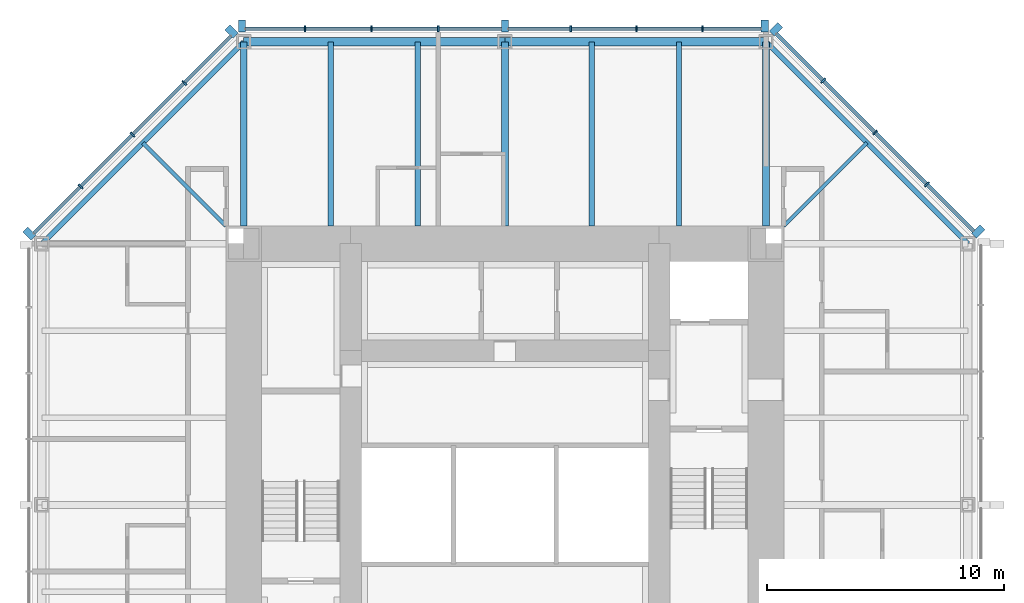
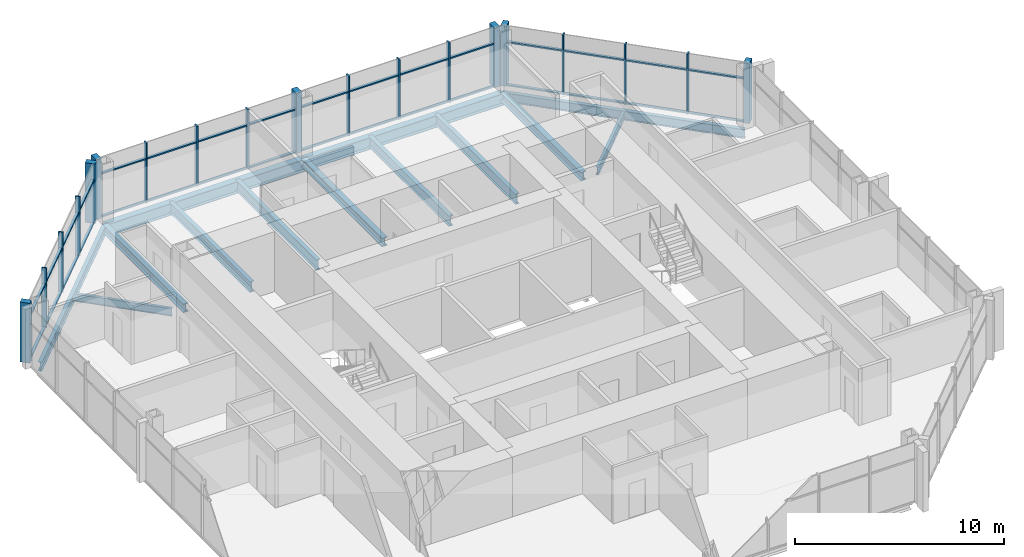
# One storey, part 5 of 11: 51 members, 13 beams, 3 elements without a shape of their own.
"""IFC4 building model written with IfcOpenShell, lengths in metres."""

from ifc_helpers import new_model, si_unit, direction, frame, origin, origin_2d, place, context, subcontext, project, spatial, rectangle, i_section, extrude, material, material_profile, profile_set, type_object, element, aggregate, save


model = new_model("IFC4")

# Units and contexts
model_context = context("Model", 3, precision=1e-05, world=origin(), true_north=direction((0.0, 1.0)))
body_context = subcontext(model_context, "Body", "Model", "MODEL_VIEW")
ifc_project = project(units=[si_unit("LENGTHUNIT", "METRE"), si_unit("AREAUNIT", "SQUARE_METRE"), si_unit("VOLUMEUNIT", "CUBIC_METRE"), si_unit("PLANEANGLEUNIT", "RADIAN"), si_unit("MASSUNIT", "GRAM", prefix="KILO")], contexts=[model_context])

# Site, building, storey
site_placement = place(None, origin())
site = spatial("IfcSite", under=ifc_project, at=site_placement, CompositionType="ELEMENT")
building_placement = place(site_placement, origin())
building = spatial("IfcBuilding", under=site, at=building_placement, Name="Trevanion Tower", CompositionType="ELEMENT")
storey_placement = place(building_placement, frame((0.0, 0.0, 232.699951171875)))
storey = spatial("IfcBuildingStorey", under=building, at=storey_placement, Name="L56", CompositionType="ELEMENT", Elevation=232.699951171875)

# Beams
ifc_material_1 = material(Name="Steel ASTM A992 Grade 50", Category="steel")
ifc_material_profile_1 = material_profile(ifc_material_1, i_section(OverallWidth=0.228271484375, OverallDepth=0.607177734375, WebThickness=0.01123046875, FlangeThickness=0.017333984375, at=origin_2d()), Name="W24X76")
ifc_profile_set_1 = profile_set([ifc_material_profile_1], Name="Steel ASTM A992 Grade 50")
beam_type_1 = type_object("IfcBeamType", Name="B11 W24X76", PredefinedType="BEAM", material=ifc_profile_set_1)
for number, where, z_axis, x_axis, name in (
    (1, (7.333251953125, 11.75, -0.493408203125), (0.0, 1.0, 0.0), (-1.0, 0.0, 0.0), "B11 L56"),
    (2, (3.666748046875, 11.75, -0.493408203125), (0.0, 1.0, 0.0), (-1.0, 0.0, 0.0), "B11 L56"),
    (3, (-3.666748046875, 11.75, -0.493408203125), (0.0, 1.0, 0.0), (-1.0, 0.0, 0.0), "B11 L56"),
    (4, (-7.333251953125, 11.75, -0.493408203125), (0.0, 1.0, 0.0), (-1.0, 0.0, 0.0), "B11 L56"),
):
    element("IfcBeam", number, at=place(storey_placement, frame(where, z_axis=z_axis, x_axis=x_axis)), inside=storey, type_object=beam_type_1, Name=name, PredefinedType="BEAM", context=body_context, shape_type="SweptSolid", body=[
        extrude(i_section(OverallWidth=0.228271484375, OverallDepth=0.607177734375, WebThickness=0.01123046875, FlangeThickness=0.017333984375, at=origin_2d()), origin(), (0.0, 0.0, 1.0), 7.75),
    ])
ifc_material_2 = material(Name="Steel ASTM A992 Grade 50", Category="steel")
ifc_material_profile_2 = material_profile(ifc_material_2, i_section(OverallWidth=0.15234375, OverallDepth=0.449462890625, WebThickness=0.007568359375, FlangeThickness=0.0107421875, at=origin_2d()), Name="W18X35")
ifc_profile_set_2 = profile_set([ifc_material_profile_2], Name="Steel ASTM A992 Grade 50")
beam_type_2 = type_object("IfcBeamType", Name="B12 W18X35", PredefinedType="BEAM", material=ifc_profile_set_2)
for number, where, z_axis, x_axis, name in (
    (5, (11.75, 11.75, -0.414794921875), (0.707106781187, 0.707106781187, 0.0), (-0.707106781187, 0.707106781187, 0.0), "B12 L56"),
    (6, (-11.75, 11.75, -0.414794921875), (-0.707106781187, 0.707106781187, 0.0), (-0.707106781187, -0.707106781187, 0.0), "B12 L56"),
):
    element("IfcBeam", number, at=place(storey_placement, frame(where, z_axis=z_axis, x_axis=x_axis)), inside=storey, type_object=beam_type_2, Name=name, PredefinedType="BEAM", context=body_context, shape_type="SweptSolid", body=[
        extrude(i_section(OverallWidth=0.15234375, OverallDepth=0.449462890625, WebThickness=0.007568359375, FlangeThickness=0.0107421875, at=origin_2d()), origin(), (0.0, 0.0, 1.0), 4.94970703125),
    ])

# Curtain wall, members
ifc_material_3 = material(Name="Aluminium and glass", Category="aluminium")
curtain_wall_type = type_object("IfcCurtainWallType", Name="CW3 curtain wall", PredefinedType="USERDEFINED", material=ifc_material_3)
curtain_wall_1_placement = place(storey_placement, origin())
curtain_wall_1 = element("IfcCurtainWall", 7, at=curtain_wall_1_placement, inside=storey, type_object=curtain_wall_type, Name="CW3 L56 1", ObjectType="UNITISED CURTAIN WALL", PredefinedType="USERDEFINED")
ifc_material_4 = material(Name="Aluminium extrusion, anodised bronze", Category="aluminium")
ifc_material_profile_3 = material_profile(ifc_material_4, rectangle(XDim=0.074951171875, YDim=0.25, at=origin_2d()), Name="CW3 mullion")
ifc_profile_set_3 = profile_set([ifc_material_profile_3], Name="Aluminium extrusion, anodised bronze")
member_type_1 = type_object("IfcMemberType", Name="CW3 mullion", PredefinedType="MULLION", material=ifc_profile_set_3)
member_1_placement = place(storey_placement, frame((17.775390625, 13.502197265625, -0.18994140625), z_axis=(0.0, 0.0, 1.0), x_axis=(-0.707106781187, 0.707106781187, 0.0)))
member_1 = element("IfcMember", 8, at=member_1_placement, type_object=member_type_1, Name="CW3 mullion 2", PredefinedType="MULLION", context=body_context, shape_type="SweptSolid", body=[
    extrude(rectangle(XDim=0.074951171875, YDim=0.25, at=origin_2d()), origin(), (0.0, 0.0, 1.0), 3.5),
])
member_2_placement = place(storey_placement, frame((15.593017578125, 15.684814453125, -0.18994140625), z_axis=(0.0, 0.0, 1.0), x_axis=(-0.707106781187, 0.707106781187, 0.0)))
member_2 = element("IfcMember", 9, at=member_2_placement, type_object=member_type_1, Name="CW3 mullion 3", PredefinedType="MULLION", context=body_context, shape_type="SweptSolid", body=[
    extrude(rectangle(XDim=0.074951171875, YDim=0.25, at=origin_2d()), origin(), (0.0, 0.0, 1.0), 3.5),
])
member_3_placement = place(storey_placement, frame((13.410400390625, 17.867431640625, -0.18994140625), z_axis=(0.0, 0.0, 1.0), x_axis=(-0.707106781187, 0.707106781187, 0.0)))
member_3 = element("IfcMember", 10, at=member_3_placement, type_object=member_type_1, Name="CW3 mullion 4", PredefinedType="MULLION", context=body_context, shape_type="SweptSolid", body=[
    extrude(rectangle(XDim=0.074951171875, YDim=0.25, at=origin_2d()), origin(), (0.0, 0.0, 1.0), 3.5),
])

curtain_wall_2_placement = place(storey_placement, origin())
curtain_wall_2 = element("IfcCurtainWall", 11, at=curtain_wall_2_placement, inside=storey, type_object=curtain_wall_type, Name="CW3 L56 2", ObjectType="UNITISED CURTAIN WALL", PredefinedType="USERDEFINED")
member_4_placement = place(storey_placement, frame((8.323486328125, 20.050048828125, -0.18994140625), z_axis=(0.0, 0.0, 1.0), x_axis=(-1.0, 0.0, 0.0)))
member_4 = element("IfcMember", 12, at=member_4_placement, type_object=member_type_1, Name="CW3 mullion 2", PredefinedType="MULLION", context=body_context, shape_type="SweptSolid", body=[
    extrude(rectangle(XDim=0.074951171875, YDim=0.25, at=origin_2d()), origin(), (0.0, 0.0, 1.0), 3.5),
])
member_5_placement = place(storey_placement, frame((5.548828125, 20.050048828125, -0.18994140625), z_axis=(0.0, 0.0, 1.0), x_axis=(-1.0, 0.0, 0.0)))
member_5 = element("IfcMember", 13, at=member_5_placement, type_object=member_type_1, Name="CW3 mullion 3", PredefinedType="MULLION", context=body_context, shape_type="SweptSolid", body=[
    extrude(rectangle(XDim=0.074951171875, YDim=0.25, at=origin_2d()), origin(), (0.0, 0.0, 1.0), 3.5),
])
member_6_placement = place(storey_placement, frame((2.7744140625, 20.050048828125, -0.18994140625), z_axis=(0.0, 0.0, 1.0), x_axis=(-1.0, 0.0, 0.0)))
member_6 = element("IfcMember", 14, at=member_6_placement, type_object=member_type_1, Name="CW3 mullion 4", PredefinedType="MULLION", context=body_context, shape_type="SweptSolid", body=[
    extrude(rectangle(XDim=0.074951171875, YDim=0.25, at=origin_2d()), origin(), (0.0, 0.0, 1.0), 3.5),
])
member_7_placement = place(storey_placement, frame((-2.806884765625, 20.050048828125, -0.18994140625), z_axis=(0.0, 0.0, 1.0), x_axis=(-1.0, 0.0, 0.0)))
member_7 = element("IfcMember", 15, at=member_7_placement, type_object=member_type_1, Name="CW3 mullion 6", PredefinedType="MULLION", context=body_context, shape_type="SweptSolid", body=[
    extrude(rectangle(XDim=0.074951171875, YDim=0.25, at=origin_2d()), origin(), (0.0, 0.0, 1.0), 3.5),
])
member_8_placement = place(storey_placement, frame((-5.614013671875, 20.050048828125, -0.18994140625), z_axis=(0.0, 0.0, 1.0), x_axis=(-1.0, 0.0, 0.0)))
member_8 = element("IfcMember", 16, at=member_8_placement, type_object=member_type_1, Name="CW3 mullion 7", PredefinedType="MULLION", context=body_context, shape_type="SweptSolid", body=[
    extrude(rectangle(XDim=0.074951171875, YDim=0.25, at=origin_2d()), origin(), (0.0, 0.0, 1.0), 3.5),
])
member_9_placement = place(storey_placement, frame((-8.4208984375, 20.050048828125, -0.18994140625), z_axis=(0.0, 0.0, 1.0), x_axis=(-1.0, 0.0, 0.0)))
member_9 = element("IfcMember", 17, at=member_9_placement, type_object=member_type_1, Name="CW3 mullion 8", PredefinedType="MULLION", context=body_context, shape_type="SweptSolid", body=[
    extrude(rectangle(XDim=0.074951171875, YDim=0.25, at=origin_2d()), origin(), (0.0, 0.0, 1.0), 3.5),
])

curtain_wall_3_placement = place(storey_placement, origin())
curtain_wall_3 = element("IfcCurtainWall", 18, at=curtain_wall_3_placement, inside=storey, type_object=curtain_wall_type, Name="CW3 L56 3", ObjectType="UNITISED CURTAIN WALL", PredefinedType="USERDEFINED")
member_10_placement = place(storey_placement, frame((-13.502197265625, 17.775390625, -0.18994140625), z_axis=(0.0, 0.0, 1.0), x_axis=(-0.707106781187, -0.707106781187, 0.0)))
member_10 = element("IfcMember", 19, at=member_10_placement, type_object=member_type_1, Name="CW3 mullion 2", PredefinedType="MULLION", context=body_context, shape_type="SweptSolid", body=[
    extrude(rectangle(XDim=0.074951171875, YDim=0.25, at=origin_2d()), origin(), (0.0, 0.0, 1.0), 3.5),
])
member_11_placement = place(storey_placement, frame((-15.684814453125, 15.593017578125, -0.18994140625), z_axis=(0.0, 0.0, 1.0), x_axis=(-0.707106781187, -0.707106781187, 0.0)))
member_11 = element("IfcMember", 20, at=member_11_placement, type_object=member_type_1, Name="CW3 mullion 3", PredefinedType="MULLION", context=body_context, shape_type="SweptSolid", body=[
    extrude(rectangle(XDim=0.074951171875, YDim=0.25, at=origin_2d()), origin(), (0.0, 0.0, 1.0), 3.5),
])
member_12_placement = place(storey_placement, frame((-17.867431640625, 13.410400390625, -0.18994140625), z_axis=(0.0, 0.0, 1.0), x_axis=(-0.707106781187, -0.707106781187, 0.0)))
member_12 = element("IfcMember", 21, at=member_12_placement, type_object=member_type_1, Name="CW3 mullion 4", PredefinedType="MULLION", context=body_context, shape_type="SweptSolid", body=[
    extrude(rectangle(XDim=0.074951171875, YDim=0.25, at=origin_2d()), origin(), (0.0, 0.0, 1.0), 3.5),
])

# Member
ifc_material_5 = material(Name="Aluminium extrusion, anodised bronze", Category="aluminium")
ifc_material_profile_4 = material_profile(ifc_material_5, rectangle(XDim=0.300048828125, YDim=0.5, at=origin_2d()), Name="CW3 pier mullion")
ifc_profile_set_4 = profile_set([ifc_material_profile_4], Name="Aluminium extrusion, anodised bronze")
member_type_2 = type_object("IfcMemberType", Name="CW3 pier mullion", PredefinedType="MULLION", material=ifc_profile_set_4)
member_13_placement = place(storey_placement, frame((19.9404296875, 11.51416015625, -0.18994140625), z_axis=(0.0, 0.0, 1.0), x_axis=(-0.707106781187, 0.707106781187, 0.0)))
member_13 = element("IfcMember", 22, at=member_13_placement, type_object=member_type_2, Name="CW3 pier mullion 1", PredefinedType="MULLION", context=body_context, shape_type="SweptSolid", body=[
    extrude(rectangle(XDim=0.300048828125, YDim=0.5, at=origin_2d()), origin(), (0.0, 0.0, 1.0), 3.5),
])

member_14_placement = place(storey_placement, frame((11.42236328125, 20.0322265625, -0.18994140625), z_axis=(0.0, 0.0, 1.0), x_axis=(-0.707106781187, 0.707106781187, 0.0)))
member_14 = element("IfcMember", 23, at=member_14_placement, type_object=member_type_2, Name="CW3 pier mullion 5", PredefinedType="MULLION", context=body_context, shape_type="SweptSolid", body=[
    extrude(rectangle(XDim=0.300048828125, YDim=0.5, at=origin_2d()), origin(), (0.0, 0.0, 1.0), 3.5),
])

member_15_placement = place(storey_placement, frame((10.94775390625, 20.175048828125, -0.18994140625), z_axis=(0.0, 0.0, 1.0), x_axis=(-1.0, 0.0, 0.0)))
member_15 = element("IfcMember", 24, at=member_15_placement, type_object=member_type_2, Name="CW3 pier mullion 1", PredefinedType="MULLION", context=body_context, shape_type="SweptSolid", body=[
    extrude(rectangle(XDim=0.300048828125, YDim=0.5, at=origin_2d()), origin(), (0.0, 0.0, 1.0), 3.5),
])

member_16_placement = place(storey_placement, frame((0.0, 20.175048828125, -0.18994140625), z_axis=(0.0, 0.0, 1.0), x_axis=(-1.0, 0.0, 0.0)))
member_16 = element("IfcMember", 25, at=member_16_placement, type_object=member_type_2, Name="CW3 pier mullion 5", PredefinedType="MULLION", context=body_context, shape_type="SweptSolid", body=[
    extrude(rectangle(XDim=0.300048828125, YDim=0.5, at=origin_2d()), origin(), (0.0, 0.0, 1.0), 3.5),
])

member_17_placement = place(storey_placement, frame((-11.077880859375, 20.175048828125, -0.18994140625), z_axis=(0.0, 0.0, 1.0), x_axis=(-1.0, 0.0, 0.0)))
member_17 = element("IfcMember", 26, at=member_17_placement, type_object=member_type_2, Name="CW3 pier mullion 9", PredefinedType="MULLION", context=body_context, shape_type="SweptSolid", body=[
    extrude(rectangle(XDim=0.300048828125, YDim=0.5, at=origin_2d()), origin(), (0.0, 0.0, 1.0), 3.5),
])

member_18_placement = place(storey_placement, frame((-11.51416015625, 19.9404296875, -0.18994140625), z_axis=(0.0, 0.0, 1.0), x_axis=(-0.707106781187, -0.707106781187, 0.0)))
member_18 = element("IfcMember", 27, at=member_18_placement, type_object=member_type_2, Name="CW3 pier mullion 1", PredefinedType="MULLION", context=body_context, shape_type="SweptSolid", body=[
    extrude(rectangle(XDim=0.300048828125, YDim=0.5, at=origin_2d()), origin(), (0.0, 0.0, 1.0), 3.5),
])

member_19_placement = place(storey_placement, frame((-20.0322265625, 11.42236328125, -0.18994140625), z_axis=(0.0, 0.0, 1.0), x_axis=(-0.707106781187, -0.707106781187, 0.0)))
member_19 = element("IfcMember", 28, at=member_19_placement, type_object=member_type_2, Name="CW3 pier mullion 5", PredefinedType="MULLION", context=body_context, shape_type="SweptSolid", body=[
    extrude(rectangle(XDim=0.300048828125, YDim=0.5, at=origin_2d()), origin(), (0.0, 0.0, 1.0), 3.5),
])

ifc_material_6 = material(Name="Aluminium extrusion, anodised bronze", Category="aluminium")
ifc_material_profile_5 = material_profile(ifc_material_6, rectangle(XDim=0.14990234375, YDim=0.074951171875, at=origin_2d()), Name="CW3 transom")
ifc_profile_set_5 = profile_set([ifc_material_profile_5], Name="Aluminium extrusion, anodised bronze")
member_type_3 = type_object("IfcMemberType", Name="CW3 transom", PredefinedType="USERDEFINED", material=ifc_profile_set_5)
member_20_placement = place(storey_placement, frame((19.745849609375, 11.531982421875, -0.15234375), z_axis=(-0.707106781187, 0.707106781187, 0.0), x_axis=(-0.707106781187, -0.707106781187, 0.0)))
member_20 = element("IfcMember", 29, at=member_20_placement, type_object=member_type_3, Name="CW3 transom 1.1", ObjectType="TRANSOM", PredefinedType="USERDEFINED", context=body_context, shape_type="SweptSolid", body=[
    extrude(rectangle(XDim=0.14990234375, YDim=0.074951171875, at=origin_2d()), origin(), (0.0, 0.0, 1.0), 2.7490234375),
])

member_21_placement = place(storey_placement, frame((19.745849609375, 11.531982421875, 2.360107421875), z_axis=(-0.707106781187, 0.707106781187, 0.0), x_axis=(-0.707106781187, -0.707106781187, 0.0)))
member_21 = element("IfcMember", 30, at=member_21_placement, type_object=member_type_3, Name="CW3 transom 1.2", ObjectType="TRANSOM", PredefinedType="USERDEFINED", context=body_context, shape_type="SweptSolid", body=[
    extrude(rectangle(XDim=0.14990234375, YDim=0.074951171875, at=origin_2d()), origin(), (0.0, 0.0, 1.0), 2.7490234375),
])

member_22_placement = place(storey_placement, frame((17.7490234375, 13.52880859375, -0.15234375), z_axis=(-0.707106781187, 0.707106781187, 0.0), x_axis=(-0.707106781187, -0.707106781187, 0.0)))
member_22 = element("IfcMember", 31, at=member_22_placement, type_object=member_type_3, Name="CW3 transom 2.1", ObjectType="TRANSOM", PredefinedType="USERDEFINED", context=body_context, shape_type="SweptSolid", body=[
    extrude(rectangle(XDim=0.14990234375, YDim=0.074951171875, at=origin_2d()), origin(), (0.0, 0.0, 1.0), 3.01171875),
])

member_23_placement = place(storey_placement, frame((17.7490234375, 13.52880859375, 2.360107421875), z_axis=(-0.707106781187, 0.707106781187, 0.0), x_axis=(-0.707106781187, -0.707106781187, 0.0)))
member_23 = element("IfcMember", 32, at=member_23_placement, type_object=member_type_3, Name="CW3 transom 2.2", ObjectType="TRANSOM", PredefinedType="USERDEFINED", context=body_context, shape_type="SweptSolid", body=[
    extrude(rectangle(XDim=0.14990234375, YDim=0.074951171875, at=origin_2d()), origin(), (0.0, 0.0, 1.0), 3.01171875),
])

member_24_placement = place(storey_placement, frame((15.56640625, 15.71142578125, -0.15234375), z_axis=(-0.707106781187, 0.707106781187, 0.0), x_axis=(-0.707106781187, -0.707106781187, 0.0)))
member_24 = element("IfcMember", 33, at=member_24_placement, type_object=member_type_3, Name="CW3 transom 3.1", ObjectType="TRANSOM", PredefinedType="USERDEFINED", context=body_context, shape_type="SweptSolid", body=[
    extrude(rectangle(XDim=0.14990234375, YDim=0.074951171875, at=origin_2d()), origin(), (0.0, 0.0, 1.0), 3.011474609375),
])

member_25_placement = place(storey_placement, frame((15.56640625, 15.71142578125, 2.360107421875), z_axis=(-0.707106781187, 0.707106781187, 0.0), x_axis=(-0.707106781187, -0.707106781187, 0.0)))
member_25 = element("IfcMember", 34, at=member_25_placement, type_object=member_type_3, Name="CW3 transom 3.2", ObjectType="TRANSOM", PredefinedType="USERDEFINED", context=body_context, shape_type="SweptSolid", body=[
    extrude(rectangle(XDim=0.14990234375, YDim=0.074951171875, at=origin_2d()), origin(), (0.0, 0.0, 1.0), 3.011474609375),
])

member_26_placement = place(storey_placement, frame((13.3837890625, 17.89404296875, -0.15234375), z_axis=(-0.707106781187, 0.707106781187, 0.0), x_axis=(-0.707106781187, -0.707106781187, 0.0)))
member_26 = element("IfcMember", 35, at=member_26_placement, type_object=member_type_3, Name="CW3 transom 4.1", ObjectType="TRANSOM", PredefinedType="USERDEFINED", context=body_context, shape_type="SweptSolid", body=[
    extrude(rectangle(XDim=0.14990234375, YDim=0.074951171875, at=origin_2d()), origin(), (0.0, 0.0, 1.0), 2.7490234375),
])

member_27_placement = place(storey_placement, frame((13.3837890625, 17.89404296875, 2.360107421875), z_axis=(-0.707106781187, 0.707106781187, 0.0), x_axis=(-0.707106781187, -0.707106781187, 0.0)))
member_27 = element("IfcMember", 36, at=member_27_placement, type_object=member_type_3, Name="CW3 transom 4.2", ObjectType="TRANSOM", PredefinedType="USERDEFINED", context=body_context, shape_type="SweptSolid", body=[
    extrude(rectangle(XDim=0.14990234375, YDim=0.074951171875, at=origin_2d()), origin(), (0.0, 0.0, 1.0), 2.7490234375),
])

aggregate(curtain_wall_1, [member_13, member_1, member_2, member_3, member_14, member_20, member_21, member_22, member_23, member_24, member_25, member_26, member_27])

member_28_placement = place(storey_placement, frame((10.7978515625, 20.050048828125, -0.15234375), z_axis=(-1.0, 0.0, 0.0), x_axis=(0.0, -1.0, 0.0)))
member_28 = element("IfcMember", 37, at=member_28_placement, type_object=member_type_3, Name="CW3 transom 1.1", ObjectType="TRANSOM", PredefinedType="USERDEFINED", context=body_context, shape_type="SweptSolid", body=[
    extrude(rectangle(XDim=0.14990234375, YDim=0.074951171875, at=origin_2d()), origin(), (0.0, 0.0, 1.0), 2.43701171875),
])

member_29_placement = place(storey_placement, frame((10.7978515625, 20.050048828125, 2.360107421875), z_axis=(-1.0, 0.0, 0.0), x_axis=(0.0, -1.0, 0.0)))
member_29 = element("IfcMember", 38, at=member_29_placement, type_object=member_type_3, Name="CW3 transom 1.2", ObjectType="TRANSOM", PredefinedType="USERDEFINED", context=body_context, shape_type="SweptSolid", body=[
    extrude(rectangle(XDim=0.14990234375, YDim=0.074951171875, at=origin_2d()), origin(), (0.0, 0.0, 1.0), 2.43701171875),
])

member_30_placement = place(storey_placement, frame((8.285888671875, 20.050048828125, -0.15234375), z_axis=(-1.0, 0.0, 0.0), x_axis=(0.0, -1.0, 0.0)))
member_30 = element("IfcMember", 39, at=member_30_placement, type_object=member_type_3, Name="CW3 transom 2.1", ObjectType="TRANSOM", PredefinedType="USERDEFINED", context=body_context, shape_type="SweptSolid", body=[
    extrude(rectangle(XDim=0.14990234375, YDim=0.074951171875, at=origin_2d()), origin(), (0.0, 0.0, 1.0), 2.699462890625),
])

member_31_placement = place(storey_placement, frame((8.285888671875, 20.050048828125, 2.360107421875), z_axis=(-1.0, 0.0, 0.0), x_axis=(0.0, -1.0, 0.0)))
member_31 = element("IfcMember", 40, at=member_31_placement, type_object=member_type_3, Name="CW3 transom 2.2", ObjectType="TRANSOM", PredefinedType="USERDEFINED", context=body_context, shape_type="SweptSolid", body=[
    extrude(rectangle(XDim=0.14990234375, YDim=0.074951171875, at=origin_2d()), origin(), (0.0, 0.0, 1.0), 2.699462890625),
])

member_32_placement = place(storey_placement, frame((5.511474609375, 20.050048828125, -0.15234375), z_axis=(-1.0, 0.0, 0.0), x_axis=(0.0, -1.0, 0.0)))
member_32 = element("IfcMember", 41, at=member_32_placement, type_object=member_type_3, Name="CW3 transom 3.1", ObjectType="TRANSOM", PredefinedType="USERDEFINED", context=body_context, shape_type="SweptSolid", body=[
    extrude(rectangle(XDim=0.14990234375, YDim=0.074951171875, at=origin_2d()), origin(), (0.0, 0.0, 1.0), 2.699462890625),
])

member_33_placement = place(storey_placement, frame((5.511474609375, 20.050048828125, 2.360107421875), z_axis=(-1.0, 0.0, 0.0), x_axis=(0.0, -1.0, 0.0)))
member_33 = element("IfcMember", 42, at=member_33_placement, type_object=member_type_3, Name="CW3 transom 3.2", ObjectType="TRANSOM", PredefinedType="USERDEFINED", context=body_context, shape_type="SweptSolid", body=[
    extrude(rectangle(XDim=0.14990234375, YDim=0.074951171875, at=origin_2d()), origin(), (0.0, 0.0, 1.0), 2.699462890625),
])

member_34_placement = place(storey_placement, frame((2.737060546875, 20.050048828125, -0.15234375), z_axis=(-1.0, 0.0, 0.0), x_axis=(0.0, -1.0, 0.0)))
member_34 = element("IfcMember", 43, at=member_34_placement, type_object=member_type_3, Name="CW3 transom 4.1", ObjectType="TRANSOM", PredefinedType="USERDEFINED", context=body_context, shape_type="SweptSolid", body=[
    extrude(rectangle(XDim=0.14990234375, YDim=0.074951171875, at=origin_2d()), origin(), (0.0, 0.0, 1.0), 2.587158203125),
])

member_35_placement = place(storey_placement, frame((2.737060546875, 20.050048828125, 2.360107421875), z_axis=(-1.0, 0.0, 0.0), x_axis=(0.0, -1.0, 0.0)))
member_35 = element("IfcMember", 44, at=member_35_placement, type_object=member_type_3, Name="CW3 transom 4.2", ObjectType="TRANSOM", PredefinedType="USERDEFINED", context=body_context, shape_type="SweptSolid", body=[
    extrude(rectangle(XDim=0.14990234375, YDim=0.074951171875, at=origin_2d()), origin(), (0.0, 0.0, 1.0), 2.587158203125),
])

member_36_placement = place(storey_placement, frame((-0.14990234375, 20.050048828125, -0.15234375), z_axis=(-1.0, 0.0, 0.0), x_axis=(0.0, -1.0, 0.0)))
member_36 = element("IfcMember", 45, at=member_36_placement, type_object=member_type_3, Name="CW3 transom 5.1", ObjectType="TRANSOM", PredefinedType="USERDEFINED", context=body_context, shape_type="SweptSolid", body=[
    extrude(rectangle(XDim=0.14990234375, YDim=0.074951171875, at=origin_2d()), origin(), (0.0, 0.0, 1.0), 2.619384765625),
])

member_37_placement = place(storey_placement, frame((-0.14990234375, 20.050048828125, 2.360107421875), z_axis=(-1.0, 0.0, 0.0), x_axis=(0.0, -1.0, 0.0)))
member_37 = element("IfcMember", 46, at=member_37_placement, type_object=member_type_3, Name="CW3 transom 5.2", ObjectType="TRANSOM", PredefinedType="USERDEFINED", context=body_context, shape_type="SweptSolid", body=[
    extrude(rectangle(XDim=0.14990234375, YDim=0.074951171875, at=origin_2d()), origin(), (0.0, 0.0, 1.0), 2.619384765625),
])

member_38_placement = place(storey_placement, frame((-2.844482421875, 20.050048828125, -0.15234375), z_axis=(-1.0, 0.0, 0.0), x_axis=(0.0, -1.0, 0.0)))
member_38 = element("IfcMember", 47, at=member_38_placement, type_object=member_type_3, Name="CW3 transom 6.1", ObjectType="TRANSOM", PredefinedType="USERDEFINED", context=body_context, shape_type="SweptSolid", body=[
    extrude(rectangle(XDim=0.14990234375, YDim=0.074951171875, at=origin_2d()), origin(), (0.0, 0.0, 1.0), 2.73193359375),
])

member_39_placement = place(storey_placement, frame((-2.844482421875, 20.050048828125, 2.360107421875), z_axis=(-1.0, 0.0, 0.0), x_axis=(0.0, -1.0, 0.0)))
member_39 = element("IfcMember", 48, at=member_39_placement, type_object=member_type_3, Name="CW3 transom 6.2", ObjectType="TRANSOM", PredefinedType="USERDEFINED", context=body_context, shape_type="SweptSolid", body=[
    extrude(rectangle(XDim=0.14990234375, YDim=0.074951171875, at=origin_2d()), origin(), (0.0, 0.0, 1.0), 2.73193359375),
])

member_40_placement = place(storey_placement, frame((-5.6513671875, 20.050048828125, -0.15234375), z_axis=(-1.0, 0.0, 0.0), x_axis=(0.0, -1.0, 0.0)))
member_40 = element("IfcMember", 49, at=member_40_placement, type_object=member_type_3, Name="CW3 transom 7.1", ObjectType="TRANSOM", PredefinedType="USERDEFINED", context=body_context, shape_type="SweptSolid", body=[
    extrude(rectangle(XDim=0.14990234375, YDim=0.074951171875, at=origin_2d()), origin(), (0.0, 0.0, 1.0), 2.73193359375),
])

member_41_placement = place(storey_placement, frame((-5.6513671875, 20.050048828125, 2.360107421875), z_axis=(-1.0, 0.0, 0.0), x_axis=(0.0, -1.0, 0.0)))
member_41 = element("IfcMember", 50, at=member_41_placement, type_object=member_type_3, Name="CW3 transom 7.2", ObjectType="TRANSOM", PredefinedType="USERDEFINED", context=body_context, shape_type="SweptSolid", body=[
    extrude(rectangle(XDim=0.14990234375, YDim=0.074951171875, at=origin_2d()), origin(), (0.0, 0.0, 1.0), 2.73193359375),
])

member_42_placement = place(storey_placement, frame((-8.45849609375, 20.050048828125, -0.15234375), z_axis=(-1.0, 0.0, 0.0), x_axis=(0.0, -1.0, 0.0)))
member_42 = element("IfcMember", 51, at=member_42_placement, type_object=member_type_3, Name="CW3 transom 8.1", ObjectType="TRANSOM", PredefinedType="USERDEFINED", context=body_context, shape_type="SweptSolid", body=[
    extrude(rectangle(XDim=0.14990234375, YDim=0.074951171875, at=origin_2d()), origin(), (0.0, 0.0, 1.0), 2.46923828125),
])

member_43_placement = place(storey_placement, frame((-8.45849609375, 20.050048828125, 2.360107421875), z_axis=(-1.0, 0.0, 0.0), x_axis=(0.0, -1.0, 0.0)))
member_43 = element("IfcMember", 52, at=member_43_placement, type_object=member_type_3, Name="CW3 transom 8.2", ObjectType="TRANSOM", PredefinedType="USERDEFINED", context=body_context, shape_type="SweptSolid", body=[
    extrude(rectangle(XDim=0.14990234375, YDim=0.074951171875, at=origin_2d()), origin(), (0.0, 0.0, 1.0), 2.46923828125),
])

aggregate(curtain_wall_2, [member_15, member_4, member_5, member_6, member_16, member_7, member_8, member_9, member_17, member_28, member_29, member_30, member_31, member_32, member_33, member_34, member_35, member_36, member_37, member_38, member_39, member_40, member_41, member_42, member_43])

member_44_placement = place(storey_placement, frame((-11.531982421875, 19.745849609375, -0.15234375), z_axis=(-0.707106781187, -0.707106781187, 0.0), x_axis=(0.707106781187, -0.707106781187, 0.0)))
member_44 = element("IfcMember", 53, at=member_44_placement, type_object=member_type_3, Name="CW3 transom 1.1", ObjectType="TRANSOM", PredefinedType="USERDEFINED", context=body_context, shape_type="SweptSolid", body=[
    extrude(rectangle(XDim=0.14990234375, YDim=0.074951171875, at=origin_2d()), origin(), (0.0, 0.0, 1.0), 2.7490234375),
])

member_45_placement = place(storey_placement, frame((-11.531982421875, 19.745849609375, 2.360107421875), z_axis=(-0.707106781187, -0.707106781187, 0.0), x_axis=(0.707106781187, -0.707106781187, 0.0)))
member_45 = element("IfcMember", 54, at=member_45_placement, type_object=member_type_3, Name="CW3 transom 1.2", ObjectType="TRANSOM", PredefinedType="USERDEFINED", context=body_context, shape_type="SweptSolid", body=[
    extrude(rectangle(XDim=0.14990234375, YDim=0.074951171875, at=origin_2d()), origin(), (0.0, 0.0, 1.0), 2.7490234375),
])

member_46_placement = place(storey_placement, frame((-13.52880859375, 17.7490234375, -0.15234375), z_axis=(-0.707106781187, -0.707106781187, 0.0), x_axis=(0.707106781187, -0.707106781187, 0.0)))
member_46 = element("IfcMember", 55, at=member_46_placement, type_object=member_type_3, Name="CW3 transom 2.1", ObjectType="TRANSOM", PredefinedType="USERDEFINED", context=body_context, shape_type="SweptSolid", body=[
    extrude(rectangle(XDim=0.14990234375, YDim=0.074951171875, at=origin_2d()), origin(), (0.0, 0.0, 1.0), 3.01171875),
])

member_47_placement = place(storey_placement, frame((-13.52880859375, 17.7490234375, 2.360107421875), z_axis=(-0.707106781187, -0.707106781187, 0.0), x_axis=(0.707106781187, -0.707106781187, 0.0)))
member_47 = element("IfcMember", 56, at=member_47_placement, type_object=member_type_3, Name="CW3 transom 2.2", ObjectType="TRANSOM", PredefinedType="USERDEFINED", context=body_context, shape_type="SweptSolid", body=[
    extrude(rectangle(XDim=0.14990234375, YDim=0.074951171875, at=origin_2d()), origin(), (0.0, 0.0, 1.0), 3.01171875),
])

member_48_placement = place(storey_placement, frame((-15.71142578125, 15.56640625, -0.15234375), z_axis=(-0.707106781187, -0.707106781187, 0.0), x_axis=(0.707106781187, -0.707106781187, 0.0)))
member_48 = element("IfcMember", 57, at=member_48_placement, type_object=member_type_3, Name="CW3 transom 3.1", ObjectType="TRANSOM", PredefinedType="USERDEFINED", context=body_context, shape_type="SweptSolid", body=[
    extrude(rectangle(XDim=0.14990234375, YDim=0.074951171875, at=origin_2d()), origin(), (0.0, 0.0, 1.0), 3.011474609375),
])

member_49_placement = place(storey_placement, frame((-15.71142578125, 15.56640625, 2.360107421875), z_axis=(-0.707106781187, -0.707106781187, 0.0), x_axis=(0.707106781187, -0.707106781187, 0.0)))
member_49 = element("IfcMember", 58, at=member_49_placement, type_object=member_type_3, Name="CW3 transom 3.2", ObjectType="TRANSOM", PredefinedType="USERDEFINED", context=body_context, shape_type="SweptSolid", body=[
    extrude(rectangle(XDim=0.14990234375, YDim=0.074951171875, at=origin_2d()), origin(), (0.0, 0.0, 1.0), 3.011474609375),
])

member_50_placement = place(storey_placement, frame((-17.89404296875, 13.3837890625, -0.15234375), z_axis=(-0.707106781187, -0.707106781187, 0.0), x_axis=(0.707106781187, -0.707106781187, 0.0)))
member_50 = element("IfcMember", 59, at=member_50_placement, type_object=member_type_3, Name="CW3 transom 4.1", ObjectType="TRANSOM", PredefinedType="USERDEFINED", context=body_context, shape_type="SweptSolid", body=[
    extrude(rectangle(XDim=0.14990234375, YDim=0.074951171875, at=origin_2d()), origin(), (0.0, 0.0, 1.0), 2.7490234375),
])

member_51_placement = place(storey_placement, frame((-17.89404296875, 13.3837890625, 2.360107421875), z_axis=(-0.707106781187, -0.707106781187, 0.0), x_axis=(0.707106781187, -0.707106781187, 0.0)))
member_51 = element("IfcMember", 60, at=member_51_placement, type_object=member_type_3, Name="CW3 transom 4.2", ObjectType="TRANSOM", PredefinedType="USERDEFINED", context=body_context, shape_type="SweptSolid", body=[
    extrude(rectangle(XDim=0.14990234375, YDim=0.074951171875, at=origin_2d()), origin(), (0.0, 0.0, 1.0), 2.7490234375),
])

aggregate(curtain_wall_3, [member_18, member_10, member_11, member_12, member_19, member_44, member_45, member_46, member_47, member_48, member_49, member_50, member_51])

# Beams
ifc_material_7 = material(Name="Steel ASTM A992 Grade 50", Category="steel")
ifc_material_profile_6 = material_profile(ifc_material_7, i_section(OverallWidth=0.28955078125, OverallDepth=0.508056640625, WebThickness=0.022705078125, FlangeThickness=0.040283203125, at=origin_2d()), Name="W18X175")
ifc_profile_set_6 = profile_set([ifc_material_profile_6], Name="Steel ASTM A992 Grade 50")
beam_type_3 = type_object("IfcBeamType", Name="G6 W18X175", PredefinedType="BEAM", material=ifc_profile_set_6)
for number, where, z_axis, x_axis, name in (
    (61, (11.0, 11.75, -0.44384765625), (0.0, 1.0, 0.0), (-1.0, 0.0, 0.0), "G6 L56"),
    (62, (0.0, 11.75, -0.44384765625), (0.0, 1.0, 0.0), (-1.0, 0.0, 0.0), "G6 L56"),
    (63, (-11.0, 11.75, -0.44384765625), (0.0, 1.0, 0.0), (-1.0, 0.0, 0.0), "G6 L56"),
):
    element("IfcBeam", number, at=place(storey_placement, frame(where, z_axis=z_axis, x_axis=x_axis)), inside=storey, type_object=beam_type_3, Name=name, PredefinedType="BEAM", context=body_context, shape_type="SweptSolid", body=[
        extrude(i_section(OverallWidth=0.28955078125, OverallDepth=0.508056640625, WebThickness=0.022705078125, FlangeThickness=0.040283203125, at=origin_2d()), origin(), (0.0, 0.0, 1.0), 7.75),
    ])
ifc_material_8 = material(Name="Steel ASTM A992 Grade 50", Category="steel")
ifc_material_profile_7 = material_profile(ifc_material_8, i_section(OverallWidth=0.355712890625, OverallDepth=0.696044921875, WebThickness=0.015380859375, FlangeThickness=0.024658203125, at=origin_2d()), Name="W27X146")
ifc_profile_set_7 = profile_set([ifc_material_profile_7], Name="Steel ASTM A992 Grade 50")
beam_type_4 = type_object("IfcBeamType", Name="SB8 W27X146", PredefinedType="SPANDREL", material=ifc_profile_set_7)
for number, where, z_axis, x_axis, name in (
    (64, (11.0, 19.5, -0.537841796875), (-1.0, 0.0, 0.0), (0.0, -1.0, 0.0), "SB8 L56"),
    (65, (0.0, 19.5, -0.537841796875), (-1.0, 0.0, 0.0), (0.0, -1.0, 0.0), "SB8 L56"),
):
    element("IfcBeam", number, at=place(storey_placement, frame(where, z_axis=z_axis, x_axis=x_axis)), inside=storey, type_object=beam_type_4, Name=name, PredefinedType="SPANDREL", context=body_context, shape_type="SweptSolid", body=[
        extrude(i_section(OverallWidth=0.355712890625, OverallDepth=0.696044921875, WebThickness=0.015380859375, FlangeThickness=0.024658203125, at=origin_2d()), origin(), (0.0, 0.0, 1.0), 11.0),
    ])
ifc_material_9 = material(Name="Steel ASTM A992 Grade 50", Category="steel")
ifc_material_profile_8 = material_profile(ifc_material_9, i_section(OverallWidth=0.209228515625, OverallDepth=0.533447265625, WebThickness=0.01025390625, FlangeThickness=0.015625, at=origin_2d()), Name="W21X62")
ifc_profile_set_8 = profile_set([ifc_material_profile_8], Name="Steel ASTM A992 Grade 50")
beam_type_5 = type_object("IfcBeamType", Name="SB9 W21X62", PredefinedType="SPANDREL", material=ifc_profile_set_8)
for number, where, z_axis, x_axis, name in (
    (66, (19.5, 11.0, -0.45654296875), (-0.707106781187, 0.707106781187, 0.0), (-0.707106781187, -0.707106781187, 0.0), "SB9 L56"),
    (67, (-11.0, 19.5, -0.45654296875), (-0.707106781187, -0.707106781187, 0.0), (0.707106781187, -0.707106781187, 0.0), "SB9 L56"),
):
    element("IfcBeam", number, at=place(storey_placement, frame(where, z_axis=z_axis, x_axis=x_axis)), inside=storey, type_object=beam_type_5, Name=name, PredefinedType="SPANDREL", context=body_context, shape_type="SweptSolid", body=[
        extrude(i_section(OverallWidth=0.209228515625, OverallDepth=0.533447265625, WebThickness=0.01025390625, FlangeThickness=0.015625, at=origin_2d()), origin(), (0.0, 0.0, 1.0), 12.020751953125),
    ])

save(model, "model.ifc")
